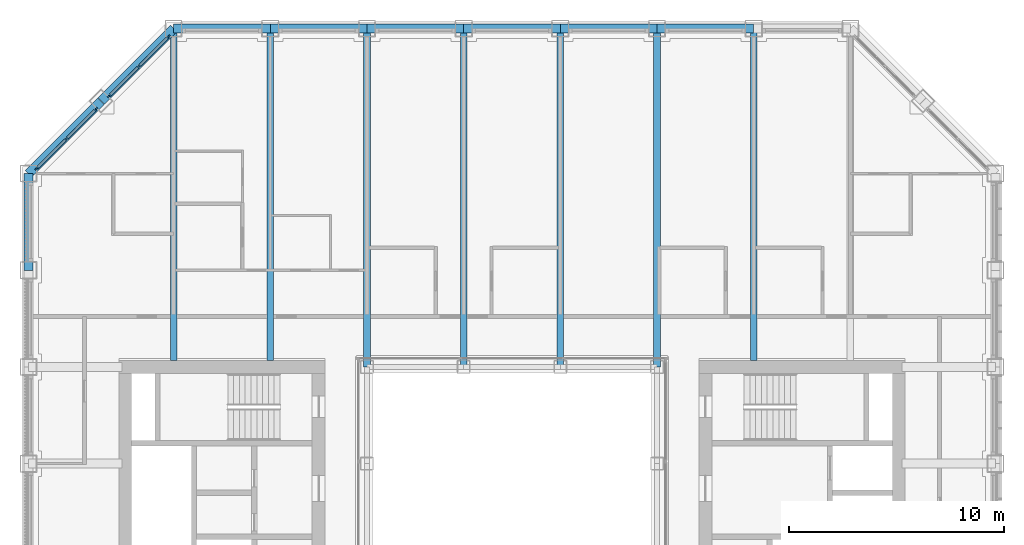
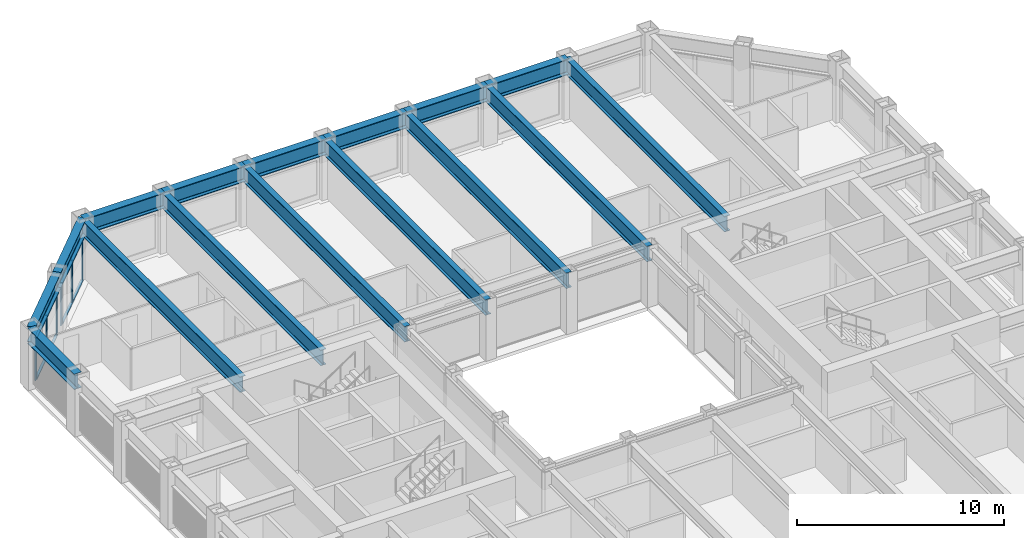
# One storey, part 7 of 17: 16 beams, 14 members, 2 elements without a shape of their own.
"""IFC4 building model written with IfcOpenShell, lengths in metres."""

from ifc_helpers import new_model, si_unit, direction, frame, origin, origin_2d, place, context, subcontext, project, spatial, rectangle, i_section, extrude, material, material_profile, profile_set, type_object, element, aggregate, save


model = new_model("IFC4")

# Units and contexts
model_context = context("Model", 3, precision=1e-05, world=origin(), true_north=direction((0.0, 1.0)))
body_context = subcontext(model_context, "Body", "Model", "MODEL_VIEW")
ifc_project = project(units=[si_unit("LENGTHUNIT", "METRE"), si_unit("AREAUNIT", "SQUARE_METRE"), si_unit("VOLUMEUNIT", "CUBIC_METRE"), si_unit("PLANEANGLEUNIT", "RADIAN"), si_unit("MASSUNIT", "GRAM", prefix="KILO")], contexts=[model_context])

# Site, building, storey
site_placement = place(None, origin())
site = spatial("IfcSite", under=ifc_project, at=site_placement, CompositionType="ELEMENT")
building_placement = place(site_placement, origin())
building = spatial("IfcBuilding", under=site, at=building_placement, Name="Msasa Ring Tower", CompositionType="ELEMENT")
storey_placement = place(building_placement, frame((0.0, 0.0, 179.60009765625)))
storey = spatial("IfcBuildingStorey", under=building, at=storey_placement, Name="L47", CompositionType="ELEMENT", Elevation=179.60009765625)

# Curtain wall, members
ifc_material_1 = material(Name="Aluminium curtain wall with clear glass", Category="aluminium")
curtain_wall_type = type_object("IfcCurtainWallType", Name="CW-C CHAMFER CORNER CURTAIN WALL", PredefinedType="NOTDEFINED", material=ifc_material_1)
curtain_wall_1_placement = place(storey_placement, origin())
curtain_wall_1 = element("IfcCurtainWall", 1, at=curtain_wall_1_placement, inside=storey, type_object=curtain_wall_type, Name="Chamfer corner curtain wall NW L47", PredefinedType="NOTDEFINED")
ifc_material_2 = material(Name="Aluminium mullion", Category="aluminium")
ifc_material_profile_1 = material_profile(ifc_material_2, rectangle(XDim=0.06494140625, YDim=0.179931640625, at=origin_2d()), Name="AL 65x180")
ifc_profile_set_1 = profile_set([ifc_material_profile_1], Name="Aluminium mullion")
member_type_1 = type_object("IfcMemberType", Name="CW-C MULLION 65x180", PredefinedType="MULLION", material=ifc_profile_set_1)
member_1_placement = place(storey_placement, frame((-19.36376953125, 18.744873046875, 0.0), z_axis=(0.0, 0.0, 1.0), x_axis=(0.707106781187, -0.707106781187, 0.0)))
member_1 = element("IfcMember", 2, at=member_1_placement, type_object=member_type_1, Name="CW-C mullion 1", PredefinedType="MULLION", context=body_context, shape_type="SweptSolid", body=[
    extrude(rectangle(XDim=0.06494140625, YDim=0.179931640625, at=origin_2d()), origin(), (0.0, 0.0, 1.0), 2.47900390625),
])
member_2_placement = place(storey_placement, frame((-20.74169921875, 17.36669921875, 0.0), z_axis=(0.0, 0.0, 1.0), x_axis=(0.707106781187, -0.707106781187, 0.0)))
member_2 = element("IfcMember", 3, at=member_2_placement, type_object=member_type_1, Name="CW-C mullion 2", PredefinedType="MULLION", context=body_context, shape_type="SweptSolid", body=[
    extrude(rectangle(XDim=0.06494140625, YDim=0.179931640625, at=origin_2d()), origin(), (0.0, 0.0, 1.0), 2.47900390625),
])
member_3_placement = place(storey_placement, frame((-22.119873046875, 15.98876953125, 0.0), z_axis=(0.0, 0.0, 1.0), x_axis=(0.707106781187, -0.707106781187, 0.0)))
member_3 = element("IfcMember", 4, at=member_3_placement, type_object=member_type_1, Name="CW-C mullion 3", PredefinedType="MULLION", context=body_context, shape_type="SweptSolid", body=[
    extrude(rectangle(XDim=0.06494140625, YDim=0.179931640625, at=origin_2d()), origin(), (0.0, 0.0, 1.0), 2.47900390625),
])

curtain_wall_2_placement = place(storey_placement, origin())
curtain_wall_2 = element("IfcCurtainWall", 5, at=curtain_wall_2_placement, inside=storey, type_object=curtain_wall_type, Name="Chamfer corner curtain wall NW L47", PredefinedType="NOTDEFINED")
member_4_placement = place(storey_placement, frame((-15.98876953125, 22.119873046875, 0.0), z_axis=(0.0, 0.0, 1.0), x_axis=(0.707106781187, -0.707106781187, 0.0)))
member_4 = element("IfcMember", 6, at=member_4_placement, type_object=member_type_1, Name="CW-C mullion 1", PredefinedType="MULLION", context=body_context, shape_type="SweptSolid", body=[
    extrude(rectangle(XDim=0.06494140625, YDim=0.179931640625, at=origin_2d()), origin(), (0.0, 0.0, 1.0), 2.47900390625),
])
member_5_placement = place(storey_placement, frame((-17.36669921875, 20.74169921875, 0.0), z_axis=(0.0, 0.0, 1.0), x_axis=(0.707106781187, -0.707106781187, 0.0)))
member_5 = element("IfcMember", 7, at=member_5_placement, type_object=member_type_1, Name="CW-C mullion 2", PredefinedType="MULLION", context=body_context, shape_type="SweptSolid", body=[
    extrude(rectangle(XDim=0.06494140625, YDim=0.179931640625, at=origin_2d()), origin(), (0.0, 0.0, 1.0), 2.47900390625),
])
member_6_placement = place(storey_placement, frame((-18.744873046875, 19.36376953125, 0.0), z_axis=(0.0, 0.0, 1.0), x_axis=(0.707106781187, -0.707106781187, 0.0)))
member_6 = element("IfcMember", 8, at=member_6_placement, type_object=member_type_1, Name="CW-C mullion 3", PredefinedType="MULLION", context=body_context, shape_type="SweptSolid", body=[
    extrude(rectangle(XDim=0.06494140625, YDim=0.179931640625, at=origin_2d()), origin(), (0.0, 0.0, 1.0), 2.47900390625),
])

# Member
ifc_material_3 = material(Name="Aluminium transom", Category="aluminium")
ifc_material_profile_2 = material_profile(ifc_material_3, rectangle(XDim=0.139892578125, YDim=0.06494140625, at=origin_2d()), Name="AL 65x140")
ifc_profile_set_2 = profile_set([ifc_material_profile_2], Name="Aluminium transom")
member_type_2 = type_object("IfcMemberType", Name="CW-C TRANSOM 65x140", PredefinedType="USERDEFINED", material=ifc_profile_set_2)
member_7_placement = place(storey_placement, frame((-19.38671875, 18.721923828125, 0.032470703125), z_axis=(-0.707106781187, -0.707106781187, 0.0), x_axis=(0.707106781187, -0.707106781187, 0.0)))
member_7 = element("IfcMember", 9, at=member_7_placement, type_object=member_type_2, Name="CW-C transom 1.1", ObjectType="TRANSOM", PredefinedType="USERDEFINED", context=body_context, shape_type="SweptSolid", body=[
    extrude(rectangle(XDim=0.139892578125, YDim=0.06494140625, at=origin_2d()), origin(), (0.0, 0.0, 1.0), 1.8837890625),
])

member_8_placement = place(storey_placement, frame((-19.38671875, 18.721923828125, 2.4462890625), z_axis=(-0.707106781187, -0.707106781187, 0.0), x_axis=(0.707106781187, -0.707106781187, 0.0)))
member_8 = element("IfcMember", 10, at=member_8_placement, type_object=member_type_2, Name="CW-C transom 1.2", ObjectType="TRANSOM", PredefinedType="USERDEFINED", context=body_context, shape_type="SweptSolid", body=[
    extrude(rectangle(XDim=0.139892578125, YDim=0.06494140625, at=origin_2d()), origin(), (0.0, 0.0, 1.0), 1.8837890625),
])

member_9_placement = place(storey_placement, frame((-20.764892578125, 17.34375, 0.032470703125), z_axis=(-0.707106781187, -0.707106781187, 0.0), x_axis=(0.707106781187, -0.707106781187, 0.0)))
member_9 = element("IfcMember", 11, at=member_9_placement, type_object=member_type_2, Name="CW-C transom 2.1", ObjectType="TRANSOM", PredefinedType="USERDEFINED", context=body_context, shape_type="SweptSolid", body=[
    extrude(rectangle(XDim=0.139892578125, YDim=0.06494140625, at=origin_2d()), origin(), (0.0, 0.0, 1.0), 1.8837890625),
])

member_10_placement = place(storey_placement, frame((-20.764892578125, 17.34375, 2.4462890625), z_axis=(-0.707106781187, -0.707106781187, 0.0), x_axis=(0.707106781187, -0.707106781187, 0.0)))
member_10 = element("IfcMember", 12, at=member_10_placement, type_object=member_type_2, Name="CW-C transom 2.2", ObjectType="TRANSOM", PredefinedType="USERDEFINED", context=body_context, shape_type="SweptSolid", body=[
    extrude(rectangle(XDim=0.139892578125, YDim=0.06494140625, at=origin_2d()), origin(), (0.0, 0.0, 1.0), 1.8837890625),
])

aggregate(curtain_wall_1, [member_1, member_2, member_3, member_7, member_8, member_9, member_10])

member_11_placement = place(storey_placement, frame((-16.01171875, 22.096923828125, 0.032470703125), z_axis=(-0.707106781187, -0.707106781187, 0.0), x_axis=(0.707106781187, -0.707106781187, 0.0)))
member_11 = element("IfcMember", 13, at=member_11_placement, type_object=member_type_2, Name="CW-C transom 1.1", ObjectType="TRANSOM", PredefinedType="USERDEFINED", context=body_context, shape_type="SweptSolid", body=[
    extrude(rectangle(XDim=0.139892578125, YDim=0.06494140625, at=origin_2d()), origin(), (0.0, 0.0, 1.0), 1.8837890625),
])

member_12_placement = place(storey_placement, frame((-16.01171875, 22.096923828125, 2.4462890625), z_axis=(-0.707106781187, -0.707106781187, 0.0), x_axis=(0.707106781187, -0.707106781187, 0.0)))
member_12 = element("IfcMember", 14, at=member_12_placement, type_object=member_type_2, Name="CW-C transom 1.2", ObjectType="TRANSOM", PredefinedType="USERDEFINED", context=body_context, shape_type="SweptSolid", body=[
    extrude(rectangle(XDim=0.139892578125, YDim=0.06494140625, at=origin_2d()), origin(), (0.0, 0.0, 1.0), 1.8837890625),
])

member_13_placement = place(storey_placement, frame((-17.389892578125, 20.71875, 0.032470703125), z_axis=(-0.707106781187, -0.707106781187, 0.0), x_axis=(0.707106781187, -0.707106781187, 0.0)))
member_13 = element("IfcMember", 15, at=member_13_placement, type_object=member_type_2, Name="CW-C transom 2.1", ObjectType="TRANSOM", PredefinedType="USERDEFINED", context=body_context, shape_type="SweptSolid", body=[
    extrude(rectangle(XDim=0.139892578125, YDim=0.06494140625, at=origin_2d()), origin(), (0.0, 0.0, 1.0), 1.8837890625),
])

member_14_placement = place(storey_placement, frame((-17.389892578125, 20.71875, 2.4462890625), z_axis=(-0.707106781187, -0.707106781187, 0.0), x_axis=(0.707106781187, -0.707106781187, 0.0)))
member_14 = element("IfcMember", 16, at=member_14_placement, type_object=member_type_2, Name="CW-C transom 2.2", ObjectType="TRANSOM", PredefinedType="USERDEFINED", context=body_context, shape_type="SweptSolid", body=[
    extrude(rectangle(XDim=0.139892578125, YDim=0.06494140625, at=origin_2d()), origin(), (0.0, 0.0, 1.0), 1.8837890625),
])

aggregate(curtain_wall_2, [member_4, member_5, member_6, member_11, member_12, member_13, member_14])

# Beams
ifc_material_4 = material(Name="Steel S355", Category="steel")
ifc_material_profile_3 = material_profile(ifc_material_4, i_section(OverallWidth=0.3076171875, OverallDepth=0.926513671875, WebThickness=0.01953125, FlangeThickness=0.031982421875, FilletRadius=0.01904296875, at=origin_2d()), Name="UB 914x305x289")
ifc_profile_set_3 = profile_set([ifc_material_profile_3], Name="Steel S355")
beam_type_1 = type_object("IfcBeamType", Name="FB3 UB 914x305x289", PredefinedType="BEAM", material=ifc_profile_set_3)
for number, where, z_axis, x_axis, name in (
    (17, (-15.75, 22.5, 2.9365234375), (0.0, -1.0, 0.0), (1.0, 0.0, 0.0), "Floor beam N-15.75 under L48"),
    (18, (-11.25, 22.5, 2.9365234375), (0.0, -1.0, 0.0), (1.0, 0.0, 0.0), "Floor beam N-11.25 under L48"),
):
    element("IfcBeam", number, at=place(storey_placement, frame(where, z_axis=z_axis, x_axis=x_axis)), inside=storey, type_object=beam_type_1, Name=name, PredefinedType="BEAM", context=body_context, shape_type="SweptSolid", body=[
        extrude(i_section(OverallWidth=0.3076171875, OverallDepth=0.926513671875, WebThickness=0.01953125, FlangeThickness=0.031982421875, FilletRadius=0.01904296875, at=origin_2d()), origin(), (0.0, 0.0, 1.0), 15.449951171875),
    ])
for number, where, z_axis, x_axis, name in (
    (19, (-6.75, 22.5, 2.9365234375), (0.0, -1.0, 0.0), (1.0, 0.0, 0.0), "Floor beam N-6.75 under L48"),
    (20, (-2.25, 22.5, 2.9365234375), (0.0, -1.0, 0.0), (1.0, 0.0, 0.0), "Floor beam N-2.25 under L48"),
    (21, (2.25, 22.5, 2.9365234375), (0.0, -1.0, 0.0), (1.0, 0.0, 0.0), "Floor beam N+2.25 under L48"),
    (22, (6.75, 22.5, 2.9365234375), (0.0, -1.0, 0.0), (1.0, 0.0, 0.0), "Floor beam N+6.75 under L48"),
):
    element("IfcBeam", number, at=place(storey_placement, frame(where, z_axis=z_axis, x_axis=x_axis)), inside=storey, type_object=beam_type_1, Name=name, PredefinedType="BEAM", context=body_context, shape_type="SweptSolid", body=[
        extrude(i_section(OverallWidth=0.3076171875, OverallDepth=0.926513671875, WebThickness=0.01953125, FlangeThickness=0.031982421875, FilletRadius=0.01904296875, at=origin_2d()), origin(), (0.0, 0.0, 1.0), 15.75),
    ])
beam_1_placement = place(storey_placement, frame((11.25, 22.5, 2.9365234375), z_axis=(0.0, -1.0, 0.0), x_axis=(1.0, 0.0, 0.0)))
element("IfcBeam", 23, at=beam_1_placement, inside=storey, type_object=beam_type_1, Name="Floor beam N+11.25 under L48", PredefinedType="BEAM", context=body_context, shape_type="SweptSolid", body=[
    extrude(i_section(OverallWidth=0.3076171875, OverallDepth=0.926513671875, WebThickness=0.01953125, FlangeThickness=0.031982421875, FilletRadius=0.01904296875, at=origin_2d()), origin(), (0.0, 0.0, 1.0), 15.449951171875),
])
ifc_material_5 = material(Name="Steel S355", Category="steel")
ifc_material_profile_4 = material_profile(ifc_material_5, i_section(OverallWidth=0.42041015625, OverallDepth=0.9208984375, WebThickness=0.021484375, FlangeThickness=0.03662109375, FilletRadius=0.024169921875, at=origin_2d()), Name="UB 914x419x388")
ifc_profile_set_4 = profile_set([ifc_material_profile_4], Name="Steel S355")
beam_type_2 = type_object("IfcBeamType", Name="SB1 UB 914x419x388", PredefinedType="SPANDREL", material=ifc_profile_set_4)
for number, where, z_axis, x_axis, name in (
    (24, (11.25, 22.5, 2.939453125), (-1.0, 0.0, 0.0), (0.0, -1.0, 0.0), "Spandrel N+11.25 to N+6.75 under L48"),
    (25, (6.75, 22.5, 2.939453125), (-1.0, 0.0, 0.0), (0.0, -1.0, 0.0), "Spandrel N+6.75 to N+2.25 under L48"),
    (26, (2.25, 22.5, 2.939453125), (-1.0, 0.0, 0.0), (0.0, -1.0, 0.0), "Spandrel N+2.25 to N-2.25 under L48"),
    (27, (-2.25, 22.5, 2.939453125), (-1.0, 0.0, 0.0), (0.0, -1.0, 0.0), "Spandrel N-2.25 to N-6.75 under L48"),
    (28, (-6.75, 22.5, 2.939453125), (-1.0, 0.0, 0.0), (0.0, -1.0, 0.0), "Spandrel N-6.75 to N-11.25 under L48"),
    (29, (-11.25, 22.5, 2.939453125), (-1.0, 0.0, 0.0), (0.0, -1.0, 0.0), "Spandrel N-11.25 to N-15.75 under L48"),
):
    element("IfcBeam", number, at=place(storey_placement, frame(where, z_axis=z_axis, x_axis=x_axis)), inside=storey, type_object=beam_type_2, Name=name, PredefinedType="SPANDREL", context=body_context, shape_type="SweptSolid", body=[
        extrude(i_section(OverallWidth=0.42041015625, OverallDepth=0.9208984375, WebThickness=0.021484375, FlangeThickness=0.03662109375, FilletRadius=0.024169921875, at=origin_2d()), origin(), (0.0, 0.0, 1.0), 4.5),
    ])
for number, where, z_axis, x_axis, name in (
    (30, (-15.75, 22.5, 2.939453125), (-0.707106781187, -0.707106781187, 0.0), (0.707106781187, -0.707106781187, 0.0), "Spandrel N-15.75 to NW under L48"),
    (31, (-19.125, 19.125, 2.939453125), (-0.707106781187, -0.707106781187, 0.0), (0.707106781187, -0.707106781187, 0.0), "Spandrel NW to W+15.75 under L48"),
):
    element("IfcBeam", number, at=place(storey_placement, frame(where, z_axis=z_axis, x_axis=x_axis)), inside=storey, type_object=beam_type_2, Name=name, PredefinedType="SPANDREL", context=body_context, shape_type="SweptSolid", body=[
        extrude(i_section(OverallWidth=0.42041015625, OverallDepth=0.9208984375, WebThickness=0.021484375, FlangeThickness=0.03662109375, FilletRadius=0.024169921875, at=origin_2d()), origin(), (0.0, 0.0, 1.0), 4.77294921875),
    ])
beam_2_placement = place(storey_placement, frame((-22.5, 15.75, 2.939453125), z_axis=(0.0, -1.0, 0.0), x_axis=(1.0, 0.0, 0.0)))
element("IfcBeam", 32, at=beam_2_placement, inside=storey, type_object=beam_type_2, Name="Spandrel W+15.75 to W+11.25 under L48", PredefinedType="SPANDREL", context=body_context, shape_type="SweptSolid", body=[
    extrude(i_section(OverallWidth=0.42041015625, OverallDepth=0.9208984375, WebThickness=0.021484375, FlangeThickness=0.03662109375, FilletRadius=0.024169921875, at=origin_2d()), origin(), (0.0, 0.0, 1.0), 4.5),
])

save(model, "model.ifc")
